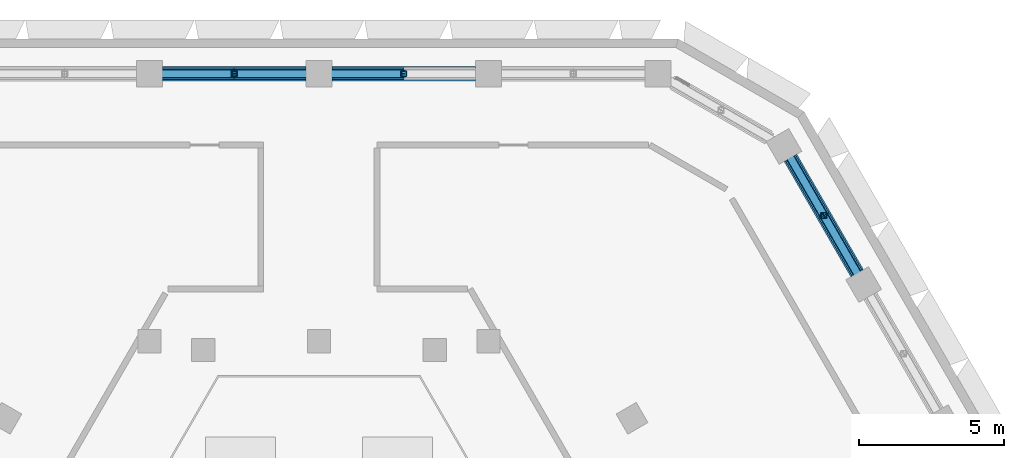
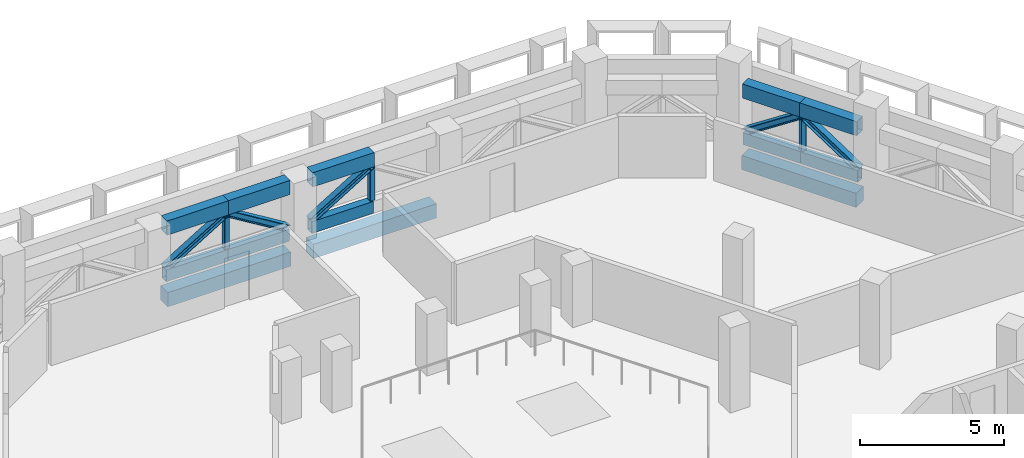
# One storey, part 8 of 22: 18 members, 3 beams.
"""IFC4 building model written with IfcOpenShell, lengths in metres."""

from ifc_helpers import new_model, si_unit, direction, frame, origin, origin_2d, place, context, subcontext, project, spatial, rectangle, hollow_rectangle, i_section, extrude, material, material_profile, profile_set, type_object, element, save


model = new_model("IFC4")

# Units and contexts
model_context = context("Model", 3, precision=1e-05, world=origin(), true_north=direction((0.0, 1.0)))
body_context = subcontext(model_context, "Body", "Model", "MODEL_VIEW")
ifc_project = project(units=[si_unit("LENGTHUNIT", "METRE"), si_unit("AREAUNIT", "SQUARE_METRE"), si_unit("VOLUMEUNIT", "CUBIC_METRE"), si_unit("PLANEANGLEUNIT", "RADIAN"), si_unit("MASSUNIT", "GRAM", prefix="KILO")], contexts=[model_context])

# Site, building, storey
site_placement = place(None, origin())
site = spatial("IfcSite", under=ifc_project, at=site_placement, CompositionType="ELEMENT")
building_placement = place(site_placement, origin())
building = spatial("IfcBuilding", under=site, at=building_placement, Name="Beryl Residences", CompositionType="ELEMENT")
storey_placement = place(building_placement, frame((0.0, 0.0, 153.60009765625)))
storey = spatial("IfcBuildingStorey", under=building, at=storey_placement, Name="L47", CompositionType="ELEMENT", Elevation=153.60009765625)

# Members
ifc_material_1 = material(Name="Steel S355", Category="steel")
ifc_material_profile_1 = material_profile(ifc_material_1, hollow_rectangle(XDim=0.300048828125, YDim=0.5, WallThickness=0.02001953125, at=origin_2d()))
ifc_profile_set_1 = profile_set([ifc_material_profile_1], Name="Steel S355")
member_type_1 = type_object("IfcMemberType", Name="BB3 belt truss bottom chord WB 500x300x20", PredefinedType="CHORD", material=ifc_profile_set_1)
for number, where, z_axis, x_axis, name in (
    (1, (2.916015625, 24.39990234375, 0.25), (-1.0, 0.0, 0.0), (0.0, -1.0, 0.0), "Belt truss BB3-N-1b L47"),
    (2, (-0.449951171875, 24.39990234375, 0.25), (-1.0, 0.0, 0.0), (0.0, -1.0, 0.0), "Belt truss BB3-N-2a L47"),
):
    element("IfcMember", number, at=place(storey_placement, frame(where, z_axis=z_axis, x_axis=x_axis)), inside=storey, type_object=member_type_1, Name=name, PredefinedType="CHORD", context=body_context, shape_type="SweptSolid", body=[
        extrude(hollow_rectangle(XDim=0.300048828125, YDim=0.5, WallThickness=0.02001953125, at=origin_2d()), origin(), (0.0, 0.0, 1.0), 2.466064453125),
    ])
member_1_placement = place(storey_placement, frame((-2.916015625, 24.39990234375, 0.25), z_axis=(-1.0, 0.0, 0.0), x_axis=(0.0, -1.0, 0.0)))
element("IfcMember", 3, at=member_1_placement, inside=storey, type_object=member_type_1, Name="Belt truss BB3-N-2b L47", PredefinedType="CHORD", context=body_context, shape_type="SweptSolid", body=[
    extrude(hollow_rectangle(XDim=0.300048828125, YDim=0.5, WallThickness=0.02001953125, at=origin_2d()), origin(), (0.0, 0.0, 1.0), 2.465087890625),
])
member_2_placement = place(storey_placement, frame((18.510009765625, 17.5400390625, 0.25), z_axis=(-0.500011369369, 0.866018839577, 0.0), x_axis=(-0.866018839577, -0.500011369369, 0.0)))
element("IfcMember", 4, at=member_2_placement, inside=storey, type_object=member_type_1, Name="Belt truss BB3-NE-3a L47", PredefinedType="CHORD", context=body_context, shape_type="SweptSolid", body=[
    extrude(hollow_rectangle(XDim=0.300048828125, YDim=0.5, WallThickness=0.02001953125, at=origin_2d()), origin(), (0.0, 0.0, 1.0), 2.2919921875),
])
member_3_placement = place(storey_placement, frame((17.364013671875, 19.52490234375, 0.25), z_axis=(-0.499965247104, 0.866045467449, 0.0), x_axis=(-0.866045467449, -0.499965247104, 0.0)))
element("IfcMember", 5, at=member_3_placement, inside=storey, type_object=member_type_1, Name="Belt truss BB3-NE-3b L47", PredefinedType="CHORD", context=body_context, shape_type="SweptSolid", body=[
    extrude(hollow_rectangle(XDim=0.300048828125, YDim=0.5, WallThickness=0.02001953125, at=origin_2d()), origin(), (0.0, 0.0, 1.0), 2.292236328125),
])
ifc_material_2 = material(Name="Steel S355", Category="steel")
ifc_material_profile_2 = material_profile(ifc_material_2, i_section(OverallWidth=0.256103515625, OverallDepth=0.260009765625, WebThickness=0.010498046875, FlangeThickness=0.017333984375, FilletRadius=0.013916015625, at=origin_2d()))
ifc_profile_set_2 = profile_set([ifc_material_profile_2], Name="Steel S355")
member_type_2 = type_object("IfcMemberType", Name="BD3 belt truss diagonal 250UC90", PredefinedType="BRACE", material=ifc_profile_set_2)
for number, where, z_axis, x_axis, name in (
    (6, (0.449951171875, 24.39990234375, 0.5), (0.854365109594, 0.0, 0.519673223775), (0.0, 1.0, 0.0), "Belt truss BD3-N-1b L47"),
    (7, (-0.449951171875, 24.39990234375, 0.5), (-0.854365109594, 0.0, 0.519673223775), (0.0, -1.0, 0.0), "Belt truss BD3-N-2a L47"),
):
    element("IfcMember", number, at=place(storey_placement, frame(where, z_axis=z_axis, x_axis=x_axis)), inside=storey, type_object=member_type_2, Name=name, PredefinedType="BRACE", context=body_context, shape_type="SweptSolid", body=[
        extrude(i_section(OverallWidth=0.256103515625, OverallDepth=0.260009765625, WebThickness=0.010498046875, FlangeThickness=0.017333984375, FilletRadius=0.013916015625, at=origin_2d()), origin(), (0.0, 0.0, 1.0), 2.886474609375),
    ])
member_4_placement = place(storey_placement, frame((-5.381103515625, 24.39990234375, 0.5), z_axis=(0.854273700768, 0.0, 0.519823474053), x_axis=(0.0, 1.0, 0.0)))
element("IfcMember", 8, at=member_4_placement, inside=storey, type_object=member_type_2, Name="Belt truss BD3-N-2b L47", PredefinedType="BRACE", context=body_context, shape_type="SweptSolid", body=[
    extrude(i_section(OverallWidth=0.256103515625, OverallDepth=0.260009765625, WebThickness=0.010498046875, FlangeThickness=0.017333984375, FilletRadius=0.013916015625, at=origin_2d()), origin(), (0.0, 0.0, 1.0), 2.885498046875),
])
for number, where, z_axis, x_axis, name in (
    (9, (18.510009765625, 17.5400390625, 0.5), (-0.418375239492, 0.724625201761, 0.547613436608), (-0.866018839577, -0.500011369369, 0.0), "Belt truss BD3-NE-3a L47"),
    (10, (16.218017578125, 21.510009765625, 0.5), (0.418348219393, -0.724667527031, 0.547578069866), (0.866045467449, 0.499965247104, 0.0), "Belt truss BD3-NE-3b L47"),
):
    element("IfcMember", number, at=place(storey_placement, frame(where, z_axis=z_axis, x_axis=x_axis)), inside=storey, type_object=member_type_2, Name=name, PredefinedType="BRACE", context=body_context, shape_type="SweptSolid", body=[
        extrude(i_section(OverallWidth=0.256103515625, OverallDepth=0.260009765625, WebThickness=0.010498046875, FlangeThickness=0.017333984375, FilletRadius=0.013916015625, at=origin_2d()), origin(), (0.0, 0.0, 1.0), 2.7392578125),
    ])
ifc_material_3 = material(Name="Steel S355", Category="steel")
ifc_material_profile_3 = material_profile(ifc_material_3, hollow_rectangle(XDim=0.199951171875, YDim=0.199951171875, WallThickness=0.009033203125, InnerFilletRadius=0.009033203125, OuterFilletRadius=0.01806640625, at=origin_2d()))
ifc_profile_set_3 = profile_set([ifc_material_profile_3], Name="Steel S355")
member_type_3 = type_object("IfcMemberType", Name="BQ3 belt truss post SHS 200x200x9", PredefinedType="POST", material=ifc_profile_set_3)
for number, where, z_axis, x_axis, name in (
    (11, (2.916015625, 24.39990234375, 0.5), (0.0, 0.0, 1.0), (1.0, 0.0, 0.0), "Belt truss BQ3-N-1 L47"),
    (12, (-2.916015625, 24.39990234375, 0.5), (0.0, 0.0, 1.0), (1.0, 0.0, 0.0), "Belt truss BQ3-N-2 L47"),
    (13, (17.364013671875, 19.52490234375, 0.5), (0.0, 0.0, 1.0), (1.0, 0.0, 0.0), "Belt truss BQ3-NE-3 L47"),
):
    element("IfcMember", number, at=place(storey_placement, frame(where, z_axis=z_axis, x_axis=x_axis)), inside=storey, type_object=member_type_3, Name=name, PredefinedType="POST", context=body_context, shape_type="SweptSolid", body=[
        extrude(hollow_rectangle(XDim=0.199951171875, YDim=0.199951171875, WallThickness=0.009033203125, InnerFilletRadius=0.009033203125, OuterFilletRadius=0.01806640625, at=origin_2d()), origin(), (0.0, 0.0, 1.0), 1.5),
    ])
ifc_material_4 = material(Name="Steel S355", Category="steel")
ifc_material_profile_4 = material_profile(ifc_material_4, hollow_rectangle(XDim=0.39990234375, YDim=0.60009765625, WallThickness=0.030029296875, at=origin_2d()))
ifc_profile_set_4 = profile_set([ifc_material_profile_4], Name="Steel S355")
member_type_4 = type_object("IfcMemberType", Name="BT3 belt truss top chord WB 600x400x30", PredefinedType="CHORD", material=ifc_profile_set_4)
for number, where, z_axis, x_axis, name in (
    (14, (2.916015625, 24.39990234375, 2.2998046875), (-1.0, 0.0, 0.0), (0.0, -1.0, 0.0), "Belt truss BT3-N-1b L47"),
    (15, (-0.449951171875, 24.39990234375, 2.2998046875), (-1.0, 0.0, 0.0), (0.0, -1.0, 0.0), "Belt truss BT3-N-2a L47"),
):
    element("IfcMember", number, at=place(storey_placement, frame(where, z_axis=z_axis, x_axis=x_axis)), inside=storey, type_object=member_type_4, Name=name, PredefinedType="CHORD", context=body_context, shape_type="SweptSolid", body=[
        extrude(hollow_rectangle(XDim=0.39990234375, YDim=0.60009765625, WallThickness=0.030029296875, at=origin_2d()), origin(), (0.0, 0.0, 1.0), 2.466064453125),
    ])
member_5_placement = place(storey_placement, frame((-2.916015625, 24.39990234375, 2.2998046875), z_axis=(-1.0, 0.0, 0.0), x_axis=(0.0, -1.0, 0.0)))
element("IfcMember", 16, at=member_5_placement, inside=storey, type_object=member_type_4, Name="Belt truss BT3-N-2b L47", PredefinedType="CHORD", context=body_context, shape_type="SweptSolid", body=[
    extrude(hollow_rectangle(XDim=0.39990234375, YDim=0.60009765625, WallThickness=0.030029296875, at=origin_2d()), origin(), (0.0, 0.0, 1.0), 2.465087890625),
])
member_6_placement = place(storey_placement, frame((18.510009765625, 17.5400390625, 2.2998046875), z_axis=(-0.500011369369, 0.866018839577, 0.0), x_axis=(-0.866018839577, -0.500011369369, 0.0)))
element("IfcMember", 17, at=member_6_placement, inside=storey, type_object=member_type_4, Name="Belt truss BT3-NE-3a L47", PredefinedType="CHORD", context=body_context, shape_type="SweptSolid", body=[
    extrude(hollow_rectangle(XDim=0.39990234375, YDim=0.60009765625, WallThickness=0.030029296875, at=origin_2d()), origin(), (0.0, 0.0, 1.0), 2.2919921875),
])
member_7_placement = place(storey_placement, frame((17.364013671875, 19.52490234375, 2.2998046875), z_axis=(-0.499965247104, 0.866045467449, 0.0), x_axis=(-0.866045467449, -0.499965247104, 0.0)))
element("IfcMember", 18, at=member_7_placement, inside=storey, type_object=member_type_4, Name="Belt truss BT3-NE-3b L47", PredefinedType="CHORD", context=body_context, shape_type="SweptSolid", body=[
    extrude(hollow_rectangle(XDim=0.39990234375, YDim=0.60009765625, WallThickness=0.030029296875, at=origin_2d()), origin(), (0.0, 0.0, 1.0), 2.292236328125),
])

# Beams
ifc_material_5 = material(Name="Concrete C60/75", Category="concrete")
ifc_material_profile_5 = material_profile(ifc_material_5, rectangle(XDim=0.5, YDim=0.60009765625, at=origin_2d()))
ifc_profile_set_5 = profile_set([ifc_material_profile_5], Name="Concrete C60/75")
beam_type = type_object("IfcBeamType", Name="SB3 spandrel beam 500 x 600 C60/75", PredefinedType="SPANDREL", material=ifc_profile_set_5)
for number, where, z_axis, x_axis, name in (
    (19, (5.381103515625, 24.39990234375, -0.7001953125), (-1.0, 0.0, 0.0), (0.0, -1.0, 0.0), "SB3 L47 N-1"),
    (20, (-0.449951171875, 24.39990234375, -0.7001953125), (-1.0, 0.0, 0.0), (0.0, -1.0, 0.0), "SB3 L47 N-2"),
):
    element("IfcBeam", number, at=place(storey_placement, frame(where, z_axis=z_axis, x_axis=x_axis)), inside=storey, type_object=beam_type, Name=name, PredefinedType="SPANDREL", context=body_context, shape_type="SweptSolid", body=[
        extrude(rectangle(XDim=0.5, YDim=0.60009765625, at=origin_2d()), origin(), (0.0, 0.0, 1.0), 4.93115234375),
    ])
beam_placement = place(storey_placement, frame((18.510009765625, 17.5400390625, -0.7001953125), z_axis=(-0.49998830735, 0.866032154434, 0.0), x_axis=(-0.866032154434, -0.49998830735, 0.0)))
element("IfcBeam", 21, at=beam_placement, inside=storey, type_object=beam_type, Name="SB3 L47 NE-3", PredefinedType="SPANDREL", context=body_context, shape_type="SweptSolid", body=[
    extrude(rectangle(XDim=0.5, YDim=0.60009765625, at=origin_2d()), origin(), (0.0, 0.0, 1.0), 4.583984375),
])

save(model, "model.ifc")
